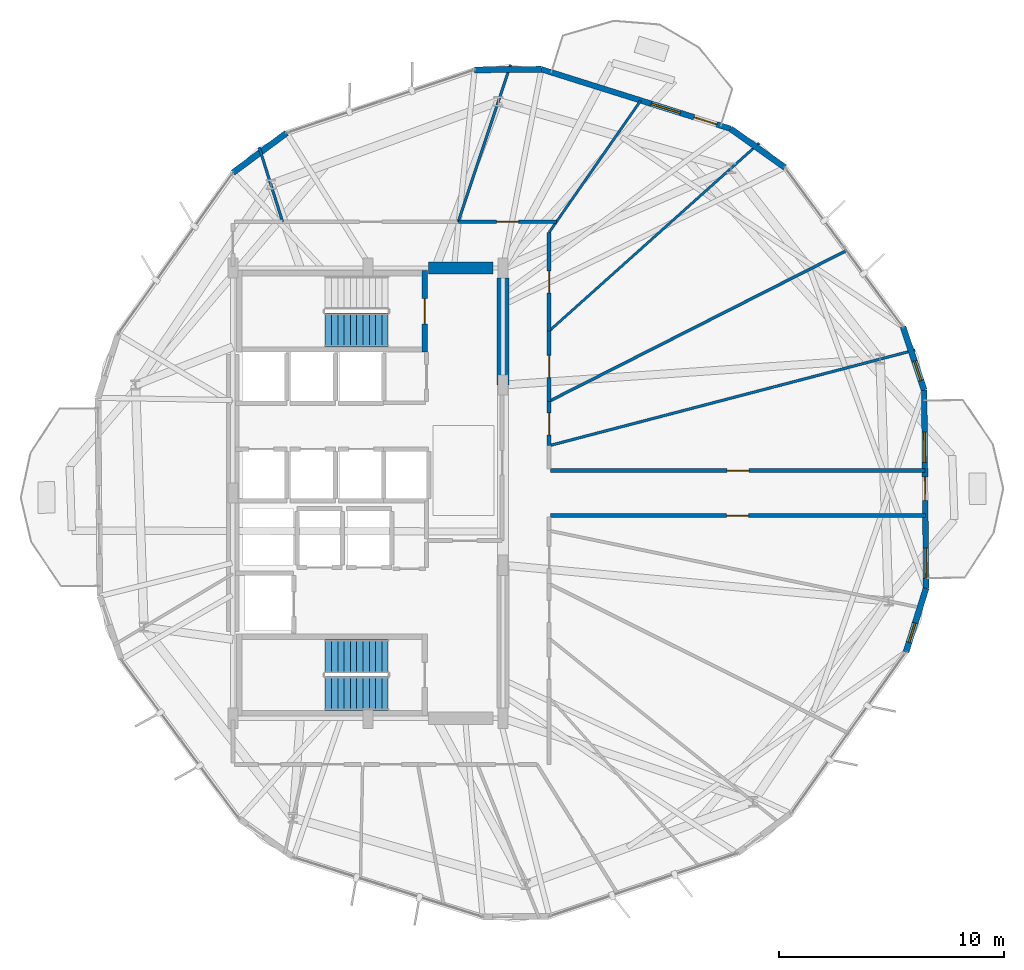
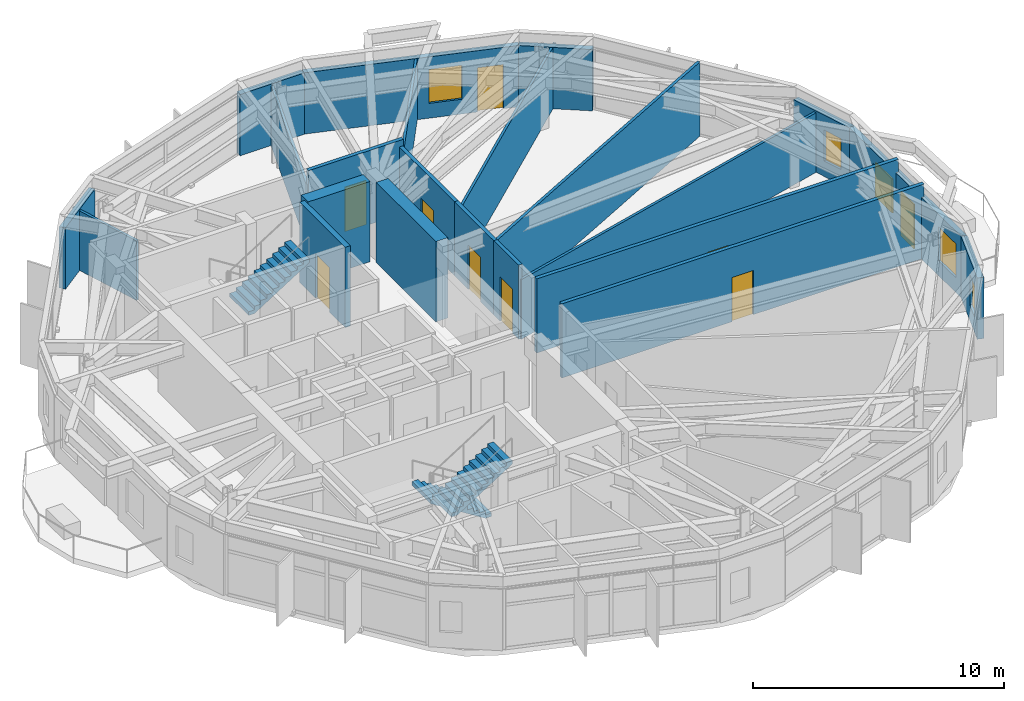
# One storey, part 23 of 27: 22 walls, 9 doors, 5 windows, 3 stair flights, 14 openings, 2 elements without a shape of their own.
"""IFC4 building model written with IfcOpenShell, lengths in metres."""

from ifc_helpers import new_model, si_unit, direction, frame, frame_2d, origin, place, context, subcontext, project, spatial, polyline, rectangle, outline, extrude, material, layer, layer_set, type_object, element, fill, aggregate, save


model = new_model("IFC4")

# Units and contexts
model_context = context("Model", 3, precision=1e-05, world=origin(), true_north=direction((0.0, 1.0)))
body_context = subcontext(model_context, "Body", "Model", "MODEL_VIEW")
ifc_project = project(units=[si_unit("LENGTHUNIT", "METRE"), si_unit("AREAUNIT", "SQUARE_METRE"), si_unit("VOLUMEUNIT", "CUBIC_METRE"), si_unit("PLANEANGLEUNIT", "RADIAN"), si_unit("MASSUNIT", "GRAM", prefix="KILO")], contexts=[model_context])

# Site, building, storey
site_placement = place(None, origin())
site = spatial("IfcSite", under=ifc_project, at=site_placement, CompositionType="ELEMENT")
building_placement = place(site_placement, origin())
building = spatial("IfcBuilding", under=site, at=building_placement, Name="Soratama Intermodal Tower", CompositionType="ELEMENT")
storey_placement = place(building_placement, frame((0.0, 0.0, 103.0)))
storey = spatial("IfcBuildingStorey", under=building, at=storey_placement, Name="L24", CompositionType="ELEMENT", Elevation=103.0)

# Wall, openings, door, window
ifc_material_1 = material(Name="Concrete f'c 42 MPa", Category="concrete")
ifc_layer_1 = layer(ifc_material_1, 0.25)
ifc_layer_set_1 = layer_set([ifc_layer_1], Name="Concrete f'c 42 MPa")
wall_type_1 = type_object("IfcWallType", Name="EW-BAL-250", PredefinedType="SOLIDWALL", material=ifc_layer_set_1)
wall_1_placement = place(storey_placement, frame((54.706787109375, 41.185302734375, 0.0), z_axis=(0.0, 0.0, 1.0), x_axis=(-0.953934793106, 0.300014017175, 0.0)))
wall_1 = element("IfcWall", 1, at=wall_1_placement, inside=storey, type_object=wall_type_1, Name="L24 Terrace Wall F02", PredefinedType="SOLIDWALL", context=body_context, shape_type="SweptSolid", body=[
    extrude(rectangle(XDim=8.806640625, YDim=0.25, at=frame_2d((4.4033203125, 0.0))), origin(), (0.0, 0.0, 1.0), 2.97900390625),
])
opening_1_placement = place(wall_1_placement, frame((0.64990234375, 0.0, 0.0)))
opening_1 = element("IfcOpeningElement", 2, at=opening_1_placement, cuts=wall_1, Name="Opening ED-5", PredefinedType="OPENING", context=body_context, shape_type="SweptSolid", body=[
    extrude(rectangle(XDim=1.050048828125, YDim=2.14990234375, at=frame_2d((0.52490234375, 1.074951171875))), frame((0.0, 0.135009765625, 0.0), z_axis=(0.0, -1.0, 0.0), x_axis=(1.0, 0.0, 0.0)), (0.0, 0.0, 1.0), 0.27001953125),
])
opening_2_placement = place(wall_1_placement, frame((2.340087890625, 0.0, 0.719970703125)))
opening_2 = element("IfcOpeningElement", 3, at=opening_2_placement, cuts=wall_1, Name="Opening WN-4", PredefinedType="OPENING", context=body_context, shape_type="SweptSolid", body=[
    extrude(rectangle(XDim=1.35009765625, YDim=1.64990234375, at=frame_2d((0.675048828125, 0.824951171875))), frame((0.0, 0.135009765625, 0.0), z_axis=(0.0, -1.0, 0.0), x_axis=(1.0, 0.0, 0.0)), (0.0, 0.0, 1.0), 0.27001953125),
])
ifc_material_2 = material(Name="Double-glazed aluminium door", Category="aluminium")
door_type_1 = type_object("IfcDoorType", Name="DR-BAL-1050", OperationType="NOTDEFINED", PredefinedType="DOOR", material=ifc_material_2)
door_1_placement = place(opening_1_placement, origin())
door_1 = element("IfcDoor", 4, at=door_1_placement, inside=storey, type_object=door_type_1, Name="L24 Balcony Door F02", OperationType="SINGLE_SWING_RIGHT", OverallHeight=2.14990234375, OverallWidth=1.050048828125, PredefinedType="DOOR", context=body_context, shape_type="SweptSolid", body=[
    extrude(rectangle(XDim=1.050048828125, YDim=2.14990234375, at=frame_2d((0.52490234375, 1.074951171875))), frame((0.0, 0.02490234375, 0.0), z_axis=(0.0, -1.0, 0.0), x_axis=(1.0, 0.0, 0.0)), (0.0, 0.0, 1.0), 0.050048828125),
])
fill(opening_1, door_1)
ifc_material_3 = material(Name="Double-glazed aluminium window", Category="aluminium")
window_type_1 = type_object("IfcWindowType", Name="WN-FAC-1350", PartitioningType="SINGLE_PANEL", PredefinedType="WINDOW", material=ifc_material_3)
window_1_placement = place(opening_2_placement, origin())
window_1 = element("IfcWindow", 5, at=window_1_placement, inside=storey, type_object=window_type_1, Name="L24 Window B F02", OverallHeight=1.64990234375, OverallWidth=1.35009765625, PartitioningType="SINGLE_PANEL", PredefinedType="WINDOW", context=body_context, shape_type="SweptSolid", body=[
    extrude(rectangle(XDim=1.35009765625, YDim=1.64990234375, at=frame_2d((0.675048828125, 0.824951171875))), frame((0.0, 0.030029296875, 0.0), z_axis=(0.0, -1.0, 0.0), x_axis=(1.0, 0.0, 0.0)), (0.0, 0.0, 1.0), 0.06005859375),
])
fill(opening_2, window_1)

# Wall, openings, door, windows
wall_2_placement = place(storey_placement, frame((63.392578125, 20.77001953125, 0.0), z_axis=(0.0, 0.0, 1.0), x_axis=(-0.009425958451, 0.999955574667, 0.0)))
wall_2 = element("IfcWall", 6, at=wall_2_placement, inside=storey, type_object=wall_type_1, Name="L24 Terrace Wall F10", PredefinedType="SOLIDWALL", context=body_context, shape_type="SweptSolid", body=[
    extrude(rectangle(XDim=8.806396484375, YDim=0.25, at=frame_2d((4.4033203125, 0.0))), origin(), (0.0, 0.0, 1.0), 2.97900390625),
])
opening_3_placement = place(wall_2_placement, frame((3.9033203125, 0.0, 0.0)))
opening_3 = element("IfcOpeningElement", 7, at=opening_3_placement, cuts=wall_2, Name="Opening ED-5", PredefinedType="OPENING", context=body_context, shape_type="SweptSolid", body=[
    extrude(rectangle(XDim=1.050048828125, YDim=2.14990234375, at=frame_2d((0.52490234375, 1.074951171875))), frame((0.0, 0.135009765625, 0.0), z_axis=(0.0, -1.0, 0.0), x_axis=(1.0, 0.0, 0.0)), (0.0, 0.0, 1.0), 0.27001953125),
])
opening_4_placement = place(wall_2_placement, frame((0.43994140625, 0.0, 0.719970703125)))
opening_4 = element("IfcOpeningElement", 8, at=opening_4_placement, cuts=wall_2, Name="Opening WN-4", PredefinedType="OPENING", context=body_context, shape_type="SweptSolid", body=[
    extrude(rectangle(XDim=1.35009765625, YDim=1.64990234375, at=frame_2d((0.675048828125, 0.824951171875))), frame((0.0, 0.135009765625, 0.0), z_axis=(0.0, -1.0, 0.0), x_axis=(1.0, 0.0, 0.0)), (0.0, 0.0, 1.0), 0.27001953125),
])
opening_5_placement = place(wall_2_placement, frame((5.59326171875, 0.0, 0.719970703125)))
opening_5 = element("IfcOpeningElement", 9, at=opening_5_placement, cuts=wall_2, Name="Opening WN-4", PredefinedType="OPENING", context=body_context, shape_type="SweptSolid", body=[
    extrude(rectangle(XDim=1.35009765625, YDim=1.64990234375, at=frame_2d((0.675048828125, 0.824951171875))), frame((0.0, 0.135009765625, 0.0), z_axis=(0.0, -1.0, 0.0), x_axis=(1.0, 0.0, 0.0)), (0.0, 0.0, 1.0), 0.27001953125),
])
door_2_placement = place(opening_3_placement, origin())
door_2 = element("IfcDoor", 10, at=door_2_placement, inside=storey, type_object=door_type_1, Name="L24 Balcony Door F10", OperationType="SINGLE_SWING_RIGHT", OverallHeight=2.14990234375, OverallWidth=1.050048828125, PredefinedType="DOOR", context=body_context, shape_type="SweptSolid", body=[
    extrude(rectangle(XDim=1.050048828125, YDim=2.14990234375, at=frame_2d((0.52490234375, 1.074951171875))), frame((0.0, 0.02490234375, 0.0), z_axis=(0.0, -1.0, 0.0), x_axis=(1.0, 0.0, 0.0)), (0.0, 0.0, 1.0), 0.050048828125),
])
fill(opening_3, door_2)
window_2_placement = place(opening_4_placement, origin())
window_2 = element("IfcWindow", 11, at=window_2_placement, inside=storey, type_object=window_type_1, Name="L24 Window A F10", OverallHeight=1.64990234375, OverallWidth=1.35009765625, PartitioningType="SINGLE_PANEL", PredefinedType="WINDOW", context=body_context, shape_type="SweptSolid", body=[
    extrude(rectangle(XDim=1.35009765625, YDim=1.64990234375, at=frame_2d((0.675048828125, 0.824951171875))), frame((0.0, 0.030029296875, 0.0), z_axis=(0.0, -1.0, 0.0), x_axis=(1.0, 0.0, 0.0)), (0.0, 0.0, 1.0), 0.06005859375),
])
fill(opening_4, window_2)
window_3_placement = place(opening_5_placement, origin())
window_3 = element("IfcWindow", 12, at=window_3_placement, inside=storey, type_object=window_type_1, Name="L24 Window B F10", OverallHeight=1.64990234375, OverallWidth=1.35009765625, PartitioningType="SINGLE_PANEL", PredefinedType="WINDOW", context=body_context, shape_type="SweptSolid", body=[
    extrude(rectangle(XDim=1.35009765625, YDim=1.64990234375, at=frame_2d((0.675048828125, 0.824951171875))), frame((0.0, 0.030029296875, 0.0), z_axis=(0.0, -1.0, 0.0), x_axis=(1.0, 0.0, 0.0)), (0.0, 0.0, 1.0), 0.06005859375),
])
fill(opening_5, window_3)

# Walls
ifc_material_4 = material(Name="Concrete f'c 42 MPa", Category="concrete")
ifc_layer_2 = layer(ifc_material_4, 0.27001953125)
ifc_layer_set_2 = layer_set([ifc_layer_2], Name="Concrete f'c 42 MPa")
wall_type_2 = type_object("IfcWallType", Name="EW-CRN-270", PredefinedType="SOLIDWALL", material=ifc_layer_set_2)
for number, where, z_axis, x_axis, name in (
    (13, (57.123046875, 39.464111328125, 0.0), (0.0, 0.0, 1.0), (-0.814483465487, 0.580186766867, 0.0), "L24 Corner Closure Wall 01"),
    (14, (46.305908203125, 43.827392578125, 0.0), (0.0, 0.0, 1.0), (-0.999955985226, -0.009382303071, 0.0), "L24 Corner Closure Wall 02"),
):
    element("IfcWall", number, at=place(storey_placement, frame(where, z_axis=z_axis, x_axis=x_axis)), inside=storey, type_object=wall_type_2, Name=name, PredefinedType="SOLIDWALL", context=body_context, shape_type="SweptSolid", body=[
        extrude(rectangle(XDim=2.966552734375, YDim=0.27001953125, at=frame_2d((1.4833984375, 0.0))), origin(), (0.0, 0.0, 1.0), 2.97900390625),
    ])
wall_3_placement = place(storey_placement, frame((34.989990234375, 40.99951171875, 0.0), z_axis=(0.0, 0.0, 1.0), x_axis=(-0.803433261612, -0.595394822059, 0.0)))
element("IfcWall", 15, at=wall_3_placement, inside=storey, type_object=wall_type_2, Name="L24 Corner Closure Wall 03", PredefinedType="SOLIDWALL", context=body_context, shape_type="SweptSolid", body=[
    extrude(rectangle(XDim=2.966796875, YDim=0.27001953125, at=frame_2d((1.4833984375, 0.0))), origin(), (0.0, 0.0, 1.0), 2.97900390625),
])

# Wall, opening, window
wall_4_placement = place(storey_placement, frame((62.50244140625, 17.93994140625, 0.0), z_axis=(0.0, 0.0, 1.0), x_axis=(0.300036293242, 0.953927786962, 0.0)))
wall_4 = element("IfcWall", 16, at=wall_4_placement, inside=storey, type_object=wall_type_2, Name="L24 Corner Closure Wall 09", PredefinedType="SOLIDWALL", context=body_context, shape_type="SweptSolid", body=[
    extrude(rectangle(XDim=2.966796875, YDim=0.27001953125, at=frame_2d((1.4833984375, 0.0))), origin(), (0.0, 0.0, 1.0), 2.97900390625),
])
opening_6_placement = place(wall_4_placement, frame((0.449951171875, 0.0, 0.75)))
opening_6 = element("IfcOpeningElement", 17, at=opening_6_placement, cuts=wall_4, Name="Opening WN-6", PredefinedType="OPENING", context=body_context, shape_type="SweptSolid", body=[
    extrude(rectangle(XDim=0.89990234375, YDim=1.5, at=frame_2d((0.449951171875, 0.75))), frame((0.0, 0.14501953125, 0.0), z_axis=(0.0, -1.0, 0.0), x_axis=(1.0, 0.0, 0.0)), (0.0, 0.0, 1.0), 0.2900390625),
])
ifc_material_5 = material(Name="Double-glazed aluminium window", Category="aluminium")
window_type_2 = type_object("IfcWindowType", Name="WN-FAC-900", PartitioningType="SINGLE_PANEL", PredefinedType="WINDOW", material=ifc_material_5)
window_4_placement = place(opening_6_placement, origin())
window_4 = element("IfcWindow", 18, at=window_4_placement, inside=storey, type_object=window_type_2, Name="L24 Corner Window 09", OverallHeight=1.5, OverallWidth=0.89990234375, PartitioningType="SINGLE_PANEL", PredefinedType="WINDOW", context=body_context, shape_type="SweptSolid", body=[
    extrude(rectangle(XDim=0.89990234375, YDim=1.5, at=frame_2d((0.449951171875, 0.75))), frame((0.0, 0.030029296875, 0.0), z_axis=(0.0, -1.0, 0.0), x_axis=(1.0, 0.0, 0.0)), (0.0, 0.0, 1.0), 0.06005859375),
])
fill(opening_6, window_4)

wall_5_placement = place(storey_placement, frame((63.3095703125, 29.575927734375, 0.0), z_axis=(0.0, 0.0, 1.0), x_axis=(-0.317980066672, 0.948097398583, 0.0)))
wall_5 = element("IfcWall", 19, at=wall_5_placement, inside=storey, type_object=wall_type_2, Name="L24 Corner Closure Wall 10", PredefinedType="SOLIDWALL", context=body_context, shape_type="SweptSolid", body=[
    extrude(rectangle(XDim=2.966796875, YDim=0.27001953125, at=frame_2d((1.4833984375, 0.0))), origin(), (0.0, 0.0, 1.0), 2.97900390625),
])
opening_7_placement = place(wall_5_placement, frame((0.449951171875, 0.0, 0.75)))
opening_7 = element("IfcOpeningElement", 20, at=opening_7_placement, cuts=wall_5, Name="Opening WN-6", PredefinedType="OPENING", context=body_context, shape_type="SweptSolid", body=[
    extrude(rectangle(XDim=0.89990234375, YDim=1.5, at=frame_2d((0.449951171875, 0.75))), frame((0.0, 0.14501953125, 0.0), z_axis=(0.0, -1.0, 0.0), x_axis=(1.0, 0.0, 0.0)), (0.0, 0.0, 1.0), 0.2900390625),
])
window_5_placement = place(opening_7_placement, origin())
window_5 = element("IfcWindow", 21, at=window_5_placement, inside=storey, type_object=window_type_2, Name="L24 Corner Window 10", OverallHeight=1.5, OverallWidth=0.89990234375, PartitioningType="SINGLE_PANEL", PredefinedType="WINDOW", context=body_context, shape_type="SweptSolid", body=[
    extrude(rectangle(XDim=0.89990234375, YDim=1.5, at=frame_2d((0.449951171875, 0.75))), frame((0.0, 0.030029296875, 0.0), z_axis=(0.0, -1.0, 0.0), x_axis=(1.0, 0.0, 0.0)), (0.0, 0.0, 1.0), 0.06005859375),
])
fill(opening_7, window_5)

# Wall, opening, door
ifc_material_6 = material(Name="Fire-rated gypsum stud partition", Category="concrete")
ifc_layer_3 = layer(ifc_material_6, 0.169921875)
ifc_layer_set_3 = layer_set([ifc_layer_3], Name="Fire-rated gypsum stud partition")
wall_type_3 = type_object("IfcWallType", Name="IW-PART-R170", PredefinedType="PARTITIONING", material=ifc_layer_set_3)
wall_6_placement = place(storey_placement, frame((63.362060546875, 24.0, 0.0), z_axis=(0.0, 0.0, 1.0), x_axis=(-1.0, 0.0, 0.0)))
wall_6 = element("IfcWall", 22, at=wall_6_placement, inside=storey, type_object=wall_type_3, Name="L24 Partition W-L24-TP003", PredefinedType="PARTITIONING", context=body_context, shape_type="SweptSolid", body=[
    extrude(rectangle(XDim=16.64208984375, YDim=0.169921875, at=frame_2d((8.321044921875, 0.0))), origin(), (0.0, 0.0, 1.0), 3.60009765625),
])
opening_8_placement = place(wall_6_placement, frame((7.845947265625, 0.0, 0.0)))
opening_8 = element("IfcOpeningElement", 23, at=opening_8_placement, cuts=wall_6, Name="Opening ID-5", PredefinedType="OPENING", context=body_context, shape_type="SweptSolid", body=[
    extrude(rectangle(XDim=0.97998046875, YDim=2.14990234375, at=frame_2d((0.489990234375, 1.074951171875))), frame((0.0, 0.094970703125, 0.0), z_axis=(0.0, -1.0, 0.0), x_axis=(1.0, 0.0, 0.0)), (0.0, 0.0, 1.0), 0.18994140625),
])
ifc_material_7 = material(Name="Solid hardwood acoustic door", Category="wood")
door_type_2 = type_object("IfcDoorType", Name="DR-OFF-980", OperationType="NOTDEFINED", PredefinedType="DOOR", material=ifc_material_7)
door_3_placement = place(opening_8_placement, origin())
door_3 = element("IfcDoor", 24, at=door_3_placement, inside=storey, type_object=door_type_2, Name="L24 Door D-L24-TP001", OperationType="SINGLE_SWING_RIGHT", OverallHeight=2.14990234375, OverallWidth=0.97998046875, PredefinedType="DOOR", context=body_context, shape_type="SweptSolid", body=[
    extrude(rectangle(XDim=0.97998046875, YDim=2.14990234375, at=frame_2d((0.489990234375, 1.074951171875))), frame((0.0, 0.02490234375, 0.0), z_axis=(0.0, -1.0, 0.0), x_axis=(1.0, 0.0, 0.0)), (0.0, 0.0, 1.0), 0.050048828125),
])
fill(opening_8, door_3)

wall_7_placement = place(storey_placement, frame((46.719970703125, 26.0, 0.0), z_axis=(0.0, 0.0, 1.0), x_axis=(1.0, 0.0, 0.0)))
wall_7 = element("IfcWall", 25, at=wall_7_placement, inside=storey, type_object=wall_type_3, Name="L24 Partition W-L24-TP004", PredefinedType="PARTITIONING", context=body_context, shape_type="SweptSolid", body=[
    extrude(rectangle(XDim=16.623046875, YDim=0.169921875, at=frame_2d((8.3115234375, 0.0))), origin(), (0.0, 0.0, 1.0), 3.60009765625),
])
opening_9_placement = place(wall_7_placement, frame((7.8369140625, 0.0, 0.0)))
opening_9 = element("IfcOpeningElement", 26, at=opening_9_placement, cuts=wall_7, Name="Opening ID-5", PredefinedType="OPENING", context=body_context, shape_type="SweptSolid", body=[
    extrude(rectangle(XDim=0.97998046875, YDim=2.14990234375, at=frame_2d((0.489990234375, 1.074951171875))), frame((0.0, 0.094970703125, 0.0), z_axis=(0.0, -1.0, 0.0), x_axis=(1.0, 0.0, 0.0)), (0.0, 0.0, 1.0), 0.18994140625),
])
door_4_placement = place(opening_9_placement, origin())
door_4 = element("IfcDoor", 27, at=door_4_placement, inside=storey, type_object=door_type_2, Name="L24 Door D-L24-TP002", OperationType="SINGLE_SWING_LEFT", OverallHeight=2.14990234375, OverallWidth=0.97998046875, PredefinedType="DOOR", context=body_context, shape_type="SweptSolid", body=[
    extrude(rectangle(XDim=0.97998046875, YDim=2.14990234375, at=frame_2d((0.489990234375, 1.074951171875))), frame((0.0, 0.02490234375, 0.0), z_axis=(0.0, -1.0, 0.0), x_axis=(1.0, 0.0, 0.0)), (0.0, 0.0, 1.0), 0.050048828125),
])
fill(opening_9, door_4)

wall_8_placement = place(storey_placement, frame((46.64990234375, 36.583984375, 0.0), z_axis=(0.0, 0.0, 1.0), x_axis=(0.0, -1.0, 0.0)))
wall_8 = element("IfcWall", 28, at=wall_8_placement, inside=storey, type_object=wall_type_3, Name="L24 Partition W-L24-TP019", PredefinedType="PARTITIONING", context=body_context, shape_type="SweptSolid", body=[
    extrude(rectangle(XDim=4.385009765625, YDim=0.169921875, at=frame_2d((2.1923828125, 0.0))), origin(), (0.0, 0.0, 1.0), 3.60009765625),
])
opening_10_placement = place(wall_8_placement, frame((1.718017578125, 0.0, 0.0)))
opening_10 = element("IfcOpeningElement", 29, at=opening_10_placement, cuts=wall_8, Name="Opening ID-5", PredefinedType="OPENING", context=body_context, shape_type="SweptSolid", body=[
    extrude(rectangle(XDim=0.97998046875, YDim=2.14990234375, at=frame_2d((0.489990234375, 1.074951171875))), frame((0.0, 0.094970703125, 0.0), z_axis=(0.0, -1.0, 0.0), x_axis=(1.0, 0.0, 0.0)), (0.0, 0.0, 1.0), 0.18994140625),
])
door_5_placement = place(opening_10_placement, origin())
door_5 = element("IfcDoor", 30, at=door_5_placement, inside=storey, type_object=door_type_2, Name="L24 Door D-L24-TP005", OperationType="SINGLE_SWING_RIGHT", OverallHeight=2.14990234375, OverallWidth=0.97998046875, PredefinedType="DOOR", context=body_context, shape_type="SweptSolid", body=[
    extrude(rectangle(XDim=0.97998046875, YDim=2.14990234375, at=frame_2d((0.489990234375, 1.074951171875))), frame((0.0, 0.02490234375, 0.0), z_axis=(0.0, -1.0, 0.0), x_axis=(1.0, 0.0, 0.0)), (0.0, 0.0, 1.0), 0.050048828125),
])
fill(opening_10, door_5)

wall_9_placement = place(storey_placement, frame((42.614013671875, 37.050048828125, 0.0), z_axis=(0.0, 0.0, 1.0), x_axis=(1.0, 0.0, 0.0)))
wall_9 = element("IfcWall", 31, at=wall_9_placement, inside=storey, type_object=wall_type_3, Name="L24 Partition W-L24-TP020", PredefinedType="PARTITIONING", context=body_context, shape_type="SweptSolid", body=[
    extrude(rectangle(XDim=4.360107421875, YDim=0.169921875, at=frame_2d((2.18017578125, 0.0))), origin(), (0.0, 0.0, 1.0), 3.60009765625),
])
opening_11_placement = place(wall_9_placement, frame((1.705078125, 0.0, 0.0)))
opening_11 = element("IfcOpeningElement", 32, at=opening_11_placement, cuts=wall_9, Name="Opening ID-5", PredefinedType="OPENING", context=body_context, shape_type="SweptSolid", body=[
    extrude(rectangle(XDim=0.97998046875, YDim=2.14990234375, at=frame_2d((0.489990234375, 1.074951171875))), frame((0.0, 0.094970703125, 0.0), z_axis=(0.0, -1.0, 0.0), x_axis=(1.0, 0.0, 0.0)), (0.0, 0.0, 1.0), 0.18994140625),
])
door_6_placement = place(opening_11_placement, origin())
door_6 = element("IfcDoor", 33, at=door_6_placement, inside=storey, type_object=door_type_2, Name="L24 Door D-L24-TP006", OperationType="SINGLE_SWING_LEFT", OverallHeight=2.14990234375, OverallWidth=0.97998046875, PredefinedType="DOOR", context=body_context, shape_type="SweptSolid", body=[
    extrude(rectangle(XDim=0.97998046875, YDim=2.14990234375, at=frame_2d((0.489990234375, 1.074951171875))), frame((0.0, 0.02490234375, 0.0), z_axis=(0.0, -1.0, 0.0), x_axis=(1.0, 0.0, 0.0)), (0.0, 0.0, 1.0), 0.050048828125),
])
fill(opening_11, door_6)

wall_10_placement = place(storey_placement, frame((46.64990234375, 32.198974609375, 0.0), z_axis=(0.0, 0.0, 1.0), x_axis=(0.0, -1.0, 0.0)))
wall_10 = element("IfcWall", 34, at=wall_10_placement, inside=storey, type_object=wall_type_3, Name="L24 Partition W-L24-TP025", PredefinedType="PARTITIONING", context=body_context, shape_type="SweptSolid", body=[
    extrude(rectangle(XDim=3.119873046875, YDim=0.169921875, at=frame_2d((1.56005859375, 0.0))), origin(), (0.0, 0.0, 1.0), 3.60009765625),
])
opening_12_placement = place(wall_10_placement, frame((1.0849609375, 0.0, 0.0)))
opening_12 = element("IfcOpeningElement", 35, at=opening_12_placement, cuts=wall_10, Name="Opening ID-5", PredefinedType="OPENING", context=body_context, shape_type="SweptSolid", body=[
    extrude(rectangle(XDim=0.97998046875, YDim=2.14990234375, at=frame_2d((0.489990234375, 1.074951171875))), frame((0.0, 0.094970703125, 0.0), z_axis=(0.0, -1.0, 0.0), x_axis=(1.0, 0.0, 0.0)), (0.0, 0.0, 1.0), 0.18994140625),
])
door_7_placement = place(opening_12_placement, origin())
door_7 = element("IfcDoor", 36, at=door_7_placement, inside=storey, type_object=door_type_2, Name="L24 Door D-L24-TP009", OperationType="SINGLE_SWING_RIGHT", OverallHeight=2.14990234375, OverallWidth=0.97998046875, PredefinedType="DOOR", context=body_context, shape_type="SweptSolid", body=[
    extrude(rectangle(XDim=0.97998046875, YDim=2.14990234375, at=frame_2d((0.489990234375, 1.074951171875))), frame((0.0, 0.02490234375, 0.0), z_axis=(0.0, -1.0, 0.0), x_axis=(1.0, 0.0, 0.0)), (0.0, 0.0, 1.0), 0.050048828125),
])
fill(opening_12, door_7)

wall_11_placement = place(storey_placement, frame((46.64990234375, 29.0791015625, 0.0), z_axis=(0.0, 0.0, 1.0), x_axis=(0.0, -1.0, 0.0)))
wall_11 = element("IfcWall", 37, at=wall_11_placement, inside=storey, type_object=wall_type_3, Name="L24 Partition W-L24-TP035", PredefinedType="PARTITIONING", context=body_context, shape_type="SweptSolid", body=[
    extrude(rectangle(XDim=1.97314453125, YDim=0.169921875, at=frame_2d((0.986572265625, 0.0))), origin(), (0.0, 0.0, 1.0), 3.60009765625),
])
opening_13_placement = place(wall_11_placement, frame((0.510986328125, 0.0, 0.0)))
opening_13 = element("IfcOpeningElement", 38, at=opening_13_placement, cuts=wall_11, Name="Opening ID-5", PredefinedType="OPENING", context=body_context, shape_type="SweptSolid", body=[
    extrude(rectangle(XDim=0.97998046875, YDim=2.14990234375, at=frame_2d((0.489990234375, 1.074951171875))), frame((0.0, 0.094970703125, 0.0), z_axis=(0.0, -1.0, 0.0), x_axis=(1.0, 0.0, 0.0)), (0.0, 0.0, 1.0), 0.18994140625),
])
door_8_placement = place(opening_13_placement, origin())
door_8 = element("IfcDoor", 39, at=door_8_placement, inside=storey, type_object=door_type_2, Name="L24 Door D-L24-TP018", OperationType="SINGLE_SWING_LEFT", OverallHeight=2.14990234375, OverallWidth=0.97998046875, PredefinedType="DOOR", context=body_context, shape_type="SweptSolid", body=[
    extrude(rectangle(XDim=0.97998046875, YDim=2.14990234375, at=frame_2d((0.489990234375, 1.074951171875))), frame((0.0, 0.02490234375, 0.0), z_axis=(0.0, -1.0, 0.0), x_axis=(1.0, 0.0, 0.0)), (0.0, 0.0, 1.0), 0.050048828125),
])
fill(opening_13, door_8)

# Walls
ifc_material_8 = material(Name="Fire-rated gypsum stud partition", Category="concrete")
ifc_layer_4 = layer(ifc_material_8, 0.110107421875)
ifc_layer_set_4 = layer_set([ifc_layer_4], Name="Fire-rated gypsum stud partition")
wall_type_4 = type_object("IfcWallType", Name="IW-PART-S110", PredefinedType="PARTITIONING", material=ifc_layer_set_4)
wall_12_placement = place(storey_placement, frame((46.64990234375, 32.198974609375, 0.0), z_axis=(0.0, 0.0, 1.0), x_axis=(0.74533867863, 0.666686023655, 0.0)))
element("IfcWall", 40, at=wall_12_placement, inside=storey, type_object=wall_type_4, Name="L24 Partition W-L24-TP008", PredefinedType="PARTITIONING", context=body_context, shape_type="SweptSolid", body=[
    extrude(rectangle(XDim=12.52490234375, YDim=0.110107421875, at=frame_2d((6.262451171875, 0.0))), origin(), (0.0, 0.0, 1.0), 2.97802734375),
])
wall_13_placement = place(storey_placement, frame((46.64990234375, 36.583984375, 0.0), z_axis=(0.0, 0.0, 1.0), x_axis=(0.570692229292, 0.821164039292, 0.0)))
element("IfcWall", 41, at=wall_13_placement, inside=storey, type_object=wall_type_4, Name="L24 Partition W-L24-TP013", PredefinedType="PARTITIONING", context=body_context, shape_type="SweptSolid", body=[
    extrude(rectangle(XDim=7.130126953125, YDim=0.110107421875, at=frame_2d((3.56494140625, 0.0))), origin(), (0.0, 0.0, 1.0), 2.97412109375),
])
ifc_material_9 = material(Name="Fire-rated gypsum stud partition", Category="concrete")
ifc_layer_5 = layer(ifc_material_9, 0.1201171875)
ifc_layer_set_5 = layer_set([ifc_layer_5], Name="Fire-rated gypsum stud partition")
wall_type_5 = type_object("IfcWallType", Name="IW-PART-S120", PredefinedType="PARTITIONING", material=ifc_layer_set_5)
wall_14_placement = place(storey_placement, frame((46.64990234375, 27.10595703125, 0.0), z_axis=(0.0, 0.0, 1.0), x_axis=(0.967460609726, 0.253021676203, 0.0)))
element("IfcWall", 42, at=wall_14_placement, inside=storey, type_object=wall_type_5, Name="L24 Partition W-L24-TP002", PredefinedType="PARTITIONING", context=body_context, shape_type="SweptSolid", body=[
    extrude(rectangle(XDim=16.80078125, YDim=0.1201171875, at=frame_2d((8.400390625, 0.0))), origin(), (0.0, 0.0, 1.0), 2.89501953125),
])
wall_15_placement = place(storey_placement, frame((42.614013671875, 37.050048828125, 0.0), z_axis=(0.0, 0.0, 1.0), x_axis=(0.3159789006, 0.948766216924, 0.0)))
element("IfcWall", 43, at=wall_15_placement, inside=storey, type_object=wall_type_5, Name="L24 Partition W-L24-TP012", PredefinedType="PARTITIONING", context=body_context, shape_type="SweptSolid", body=[
    extrude(rectangle(XDim=7.35791015625, YDim=0.1201171875, at=frame_2d((3.678955078125, 0.0))), origin(), (0.0, 0.0, 1.0), 2.89501953125),
])
wall_16_placement = place(storey_placement, frame((34.81005859375, 37.050048828125, 0.0), z_axis=(0.0, 0.0, 1.0), x_axis=(-0.30010816063, 0.953905179734, 0.0)))
element("IfcWall", 44, at=wall_16_placement, inside=storey, type_object=wall_type_5, Name="L24 Partition W-L24-TP022", PredefinedType="PARTITIONING", context=body_context, shape_type="SweptSolid", body=[
    extrude(rectangle(XDim=3.47216796875, YDim=0.1201171875, at=frame_2d((1.736083984375, 0.0))), origin(), (0.0, 0.0, 1.0), 2.89501953125),
])
ifc_material_10 = material(Name="Fire-rated gypsum stud partition", Category="concrete")
ifc_layer_6 = layer(ifc_material_10, 0.1298828125)
ifc_layer_set_6 = layer_set([ifc_layer_6], Name="Fire-rated gypsum stud partition")
wall_type_6 = type_object("IfcWallType", Name="IW-PART-S130", PredefinedType="PARTITIONING", material=ifc_layer_set_6)
wall_17_placement = place(storey_placement, frame((46.64990234375, 29.0791015625, 0.0), z_axis=(0.0, 0.0, 1.0), x_axis=(0.891987023653, 0.452061002117, 0.0)))
element("IfcWall", 45, at=wall_17_placement, inside=storey, type_object=wall_type_6, Name="L24 Partition W-L24-TP006", PredefinedType="PARTITIONING", context=body_context, shape_type="SweptSolid", body=[
    extrude(rectangle(XDim=14.807373046875, YDim=0.1298828125, at=frame_2d((7.40380859375, 0.0))), origin(), (0.0, 0.0, 1.0), 3.60009765625),
])
ifc_material_11 = material(Name="Concrete f'c 56 MPa", Category="concrete")
ifc_layer_7 = layer(ifc_material_11, 0.550048828125)
ifc_layer_set_7 = layer_set([ifc_layer_7], Name="Concrete f'c 56 MPa")
wall_type_7 = type_object("IfcWallType", Name="SW-CORE-550", PredefinedType="SHEAR", material=ifc_layer_set_7)
wall_18_placement = place(storey_placement, frame((41.300048828125, 35.0, 0.0), z_axis=(0.0, 0.0, 1.0), x_axis=(1.0, 0.0, 0.0)))
element("IfcWall", 46, at=wall_18_placement, inside=storey, type_object=wall_type_7, Name="L24 Core Shear Wall CW-NE", PredefinedType="SHEAR", context=body_context, shape_type="SweptSolid", body=[
    extrude(rectangle(XDim=2.849853515625, YDim=0.550048828125, at=frame_2d((1.4248046875, 0.0))), origin(), (0.0, 0.0, 1.0), 3.89990234375),
])
wall_19_placement = place(storey_placement, frame((44.60009765625, 29.800048828125, 0.0), z_axis=(0.0, 0.0, 1.0), x_axis=(0.0, 1.0, 0.0)))
element("IfcWall", 47, at=wall_19_placement, inside=storey, type_object=wall_type_7, Name="L24 Core Shear Wall CW-EN", PredefinedType="SHEAR", context=body_context, shape_type="SweptSolid", body=[
    extrude(rectangle(XDim=4.75, YDim=0.550048828125, at=frame_2d((2.375, 0.0))), origin(), (0.0, 0.0, 1.0), 3.89990234375),
])

# Wall, opening, door
ifc_material_12 = material(Name="Concrete f'c 56 MPa", Category="concrete")
ifc_layer_8 = layer(ifc_material_12, 0.239990234375)
ifc_layer_set_8 = layer_set([ifc_layer_8], Name="Concrete f'c 56 MPa")
wall_type_8 = type_object("IfcWallType", Name="SW-STAIR-240", PredefinedType="SHEAR", material=ifc_layer_set_8)
wall_20_placement = place(storey_placement, frame((41.1201171875, 31.260009765625, 0.0), z_axis=(0.0, 0.0, 1.0), x_axis=(0.0, 1.0, 0.0)))
wall_20 = element("IfcWall", 48, at=wall_20_placement, inside=storey, type_object=wall_type_8, Name="L24 ST-2 Shaft Shear Wall E", PredefinedType="SHEAR", context=body_context, shape_type="SweptSolid", body=[
    extrude(rectangle(XDim=3.6298828125, YDim=0.239990234375, at=frame_2d((1.81494140625, 0.0))), origin(), (0.0, 0.0, 1.0), 3.89990234375),
])
opening_14_placement = place(wall_20_placement, frame((1.2548828125, 0.0, 0.0)))
opening_14 = element("IfcOpeningElement", 49, at=opening_14_placement, cuts=wall_20, Name="Opening SD-1", PredefinedType="OPENING", context=body_context, shape_type="SweptSolid", body=[
    extrude(rectangle(XDim=1.1201171875, YDim=2.14990234375, at=frame_2d((0.56005859375, 1.074951171875))), frame((0.0, 0.1298828125, 0.0), z_axis=(0.0, -1.0, 0.0), x_axis=(1.0, 0.0, 0.0)), (0.0, 0.0, 1.0), 0.260009765625),
])
ifc_material_13 = material(Name="Steel fire door", Category="steel")
door_type_3 = type_object("IfcDoorType", Name="DR-STAIR-FD90", OperationType="NOTDEFINED", PredefinedType="DOOR", material=ifc_material_13)
door_9_placement = place(opening_14_placement, origin())
door_9 = element("IfcDoor", 50, at=door_9_placement, inside=storey, type_object=door_type_3, Name="L24 ST-2 Exit Stair Door", OperationType="SINGLE_SWING_RIGHT", OverallHeight=2.14990234375, OverallWidth=1.1201171875, PredefinedType="DOOR", context=body_context, shape_type="SweptSolid", body=[
    extrude(rectangle(XDim=1.1201171875, YDim=2.14990234375, at=frame_2d((0.56005859375, 1.074951171875))), frame((0.0, 0.02490234375, 0.0), z_axis=(0.0, -1.0, 0.0), x_axis=(1.0, 0.0, 0.0)), (0.0, 0.0, 1.0), 0.050048828125),
])
fill(opening_14, door_9)

# Stair, stair flights
ifc_material_14 = material(Name="Concrete f'c 42 MPa", Category="concrete")
stair_type = type_object("IfcStairType", Name="ST-CORE-DOGLEG", PredefinedType="HALF_TURN_STAIR", material=ifc_material_14)
stair_1_placement = place(storey_placement, origin())
stair_1 = element("IfcStair", 51, at=stair_1_placement, inside=storey, type_object=stair_type, Name="L24 ST-1", PredefinedType="HALF_TURN_STAIR")
ifc_material_15 = material(Name="Precast concrete f'c 40 MPa", Category="concrete")
ifc_layer_9 = layer(ifc_material_15, 0.199951171875)
ifc_layer_set_9 = layer_set([ifc_layer_9], Name="Precast concrete f'c 40 MPa")
stair_flight_type = type_object("IfcStairFlightType", Name="SF-FLIGHT-RC", PredefinedType="STRAIGHT", material=ifc_layer_set_9)
stair_flight_1_placement = place(storey_placement, frame((39.5, 17.75, 0.0), z_axis=(0.0, 0.0, 1.0), x_axis=(-1.0, 0.0, 0.0)))
stair_flight_1 = element("IfcStairFlight", 52, at=stair_flight_1_placement, type_object=stair_flight_type, Name="ST-1 flight 1", NumberOfRisers=11, NumberOfTreads=10, PredefinedType="STRAIGHT", RiserHeight=0.177272727, TreadLength=0.28, context=body_context, shape_type="SweptSolid", body=[
    extrude(outline(polyline([(0.0, 0.0), (0.0, 0.17724609375), (0.280029296875, 0.17724609375), (0.280029296875, 0.3544921875), (0.56005859375, 0.3544921875), (0.56005859375, 0.53173828125), (0.840087890625, 0.53173828125), (0.840087890625, 0.708984375), (1.1201171875, 0.708984375), (1.1201171875, 0.886474609375), (1.39990234375, 0.886474609375), (1.39990234375, 1.063720703125), (1.679931640625, 1.063720703125), (1.679931640625, 1.240966796875), (1.9599609375, 1.240966796875), (1.9599609375, 1.418212890625), (2.239990234375, 1.418212890625), (2.239990234375, 1.595458984375), (2.52001953125, 1.595458984375), (2.52001953125, 1.772705078125), (2.800048828125, 1.772705078125), (2.800048828125, 1.949951171875), (2.800048828125, 1.59521484375), (0.2802734375, 0.0), (0.0, 0.0)])), frame((0.0, 0.75, 0.0), z_axis=(0.0, -1.0, 0.0), x_axis=(1.0, 0.0, 0.0)), (0.0, 0.0, 1.0), 1.5),
])
stair_flight_2_placement = place(storey_placement, frame((36.699951171875, 16.10009765625, 1.949951171875), z_axis=(0.0, 0.0, 1.0), x_axis=(1.0, 0.0, 0.0)))
stair_flight_2 = element("IfcStairFlight", 53, at=stair_flight_2_placement, type_object=stair_flight_type, Name="ST-1 flight 2", NumberOfRisers=11, NumberOfTreads=10, PredefinedType="STRAIGHT", RiserHeight=0.177272727, TreadLength=0.28, context=body_context, shape_type="SweptSolid", body=[
    extrude(outline(polyline([(0.0, 0.0), (0.0, 0.17724609375), (0.280029296875, 0.17724609375), (0.280029296875, 0.3544921875), (0.56005859375, 0.3544921875), (0.56005859375, 0.53173828125), (0.840087890625, 0.53173828125), (0.840087890625, 0.708984375), (1.1201171875, 0.708984375), (1.1201171875, 0.886474609375), (1.39990234375, 0.886474609375), (1.39990234375, 1.063720703125), (1.679931640625, 1.063720703125), (1.679931640625, 1.240966796875), (1.9599609375, 1.240966796875), (1.9599609375, 1.418212890625), (2.239990234375, 1.418212890625), (2.239990234375, 1.595458984375), (2.52001953125, 1.595458984375), (2.52001953125, 1.772705078125), (2.800048828125, 1.772705078125), (2.800048828125, 1.949951171875), (2.800048828125, 1.59521484375), (0.2802734375, 0.0), (0.0, 0.0)])), frame((0.0, 0.75, 0.0), z_axis=(0.0, -1.0, 0.0), x_axis=(1.0, 0.0, 0.0)), (0.0, 0.0, 1.0), 1.5),
])
aggregate(stair_1, [stair_flight_1, stair_flight_2])

# Stair, stair flight
stair_2_placement = place(storey_placement, origin())
stair_2 = element("IfcStair", 54, at=stair_2_placement, inside=storey, type_object=stair_type, Name="L24 ST-2", PredefinedType="HALF_TURN_STAIR")
stair_flight_3_placement = place(storey_placement, frame((36.699951171875, 32.25, 1.949951171875), z_axis=(0.0, 0.0, 1.0), x_axis=(1.0, 0.0, 0.0)))
stair_flight_3 = element("IfcStairFlight", 55, at=stair_flight_3_placement, type_object=stair_flight_type, Name="ST-2 flight 2", NumberOfRisers=11, NumberOfTreads=10, PredefinedType="STRAIGHT", RiserHeight=0.177272727, TreadLength=0.28, context=body_context, shape_type="SweptSolid", body=[
    extrude(outline(polyline([(0.0, 0.0), (0.0, 0.17724609375), (0.280029296875, 0.17724609375), (0.280029296875, 0.3544921875), (0.56005859375, 0.3544921875), (0.56005859375, 0.53173828125), (0.840087890625, 0.53173828125), (0.840087890625, 0.708984375), (1.1201171875, 0.708984375), (1.1201171875, 0.886474609375), (1.39990234375, 0.886474609375), (1.39990234375, 1.063720703125), (1.679931640625, 1.063720703125), (1.679931640625, 1.240966796875), (1.9599609375, 1.240966796875), (1.9599609375, 1.418212890625), (2.239990234375, 1.418212890625), (2.239990234375, 1.595458984375), (2.52001953125, 1.595458984375), (2.52001953125, 1.772705078125), (2.800048828125, 1.772705078125), (2.800048828125, 1.949951171875), (2.800048828125, 1.59521484375), (0.2802734375, 0.0), (0.0, 0.0)])), frame((0.0, 0.75, 0.0), z_axis=(0.0, -1.0, 0.0), x_axis=(1.0, 0.0, 0.0)), (0.0, 0.0, 1.0), 1.5),
])
aggregate(stair_2, [stair_flight_3])

save(model, "model.ifc")
